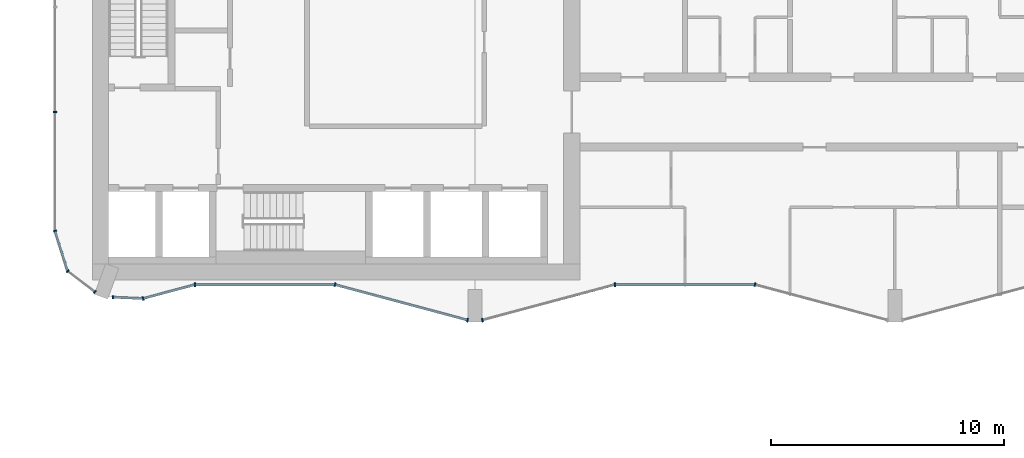
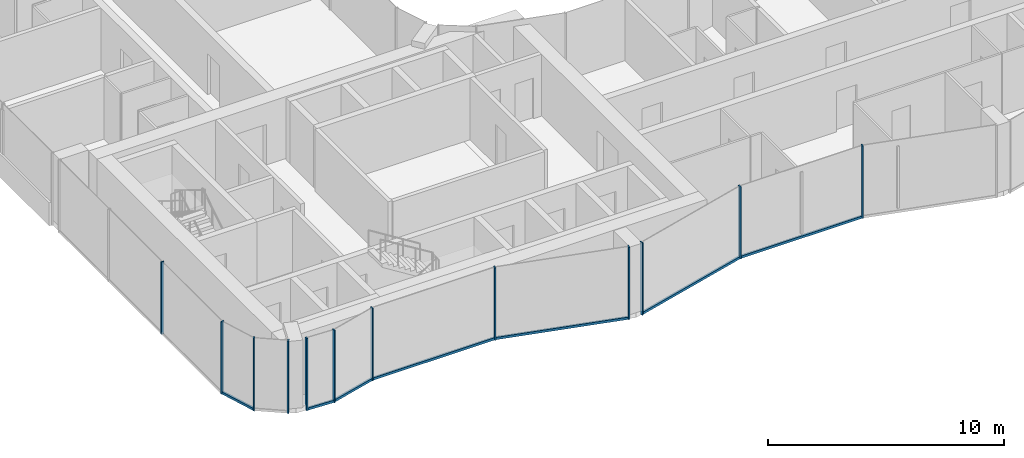
# One storey, part 2 of 22: 19 members, 10 elements without a shape of their own.
"""IFC4 building model written with IfcOpenShell, lengths in metres."""

from ifc_helpers import new_model, si_unit, direction, frame, origin, origin_2d, place, context, subcontext, project, spatial, rectangle, extrude, material, layer, layer_set, material_profile, profile_set, type_object, element, aggregate, save


model = new_model("IFC4")

# Units and contexts
model_context = context("Model", 3, precision=1e-05, world=origin(), true_north=direction((0.0, 1.0)))
body_context = subcontext(model_context, "Body", "Model", "MODEL_VIEW")
ifc_project = project(units=[si_unit("LENGTHUNIT", "METRE"), si_unit("AREAUNIT", "SQUARE_METRE"), si_unit("VOLUMEUNIT", "CUBIC_METRE"), si_unit("PLANEANGLEUNIT", "RADIAN"), si_unit("MASSUNIT", "GRAM", prefix="KILO")], contexts=[model_context])

# Site, building, storey
site_placement = place(None, origin())
site = spatial("IfcSite", under=ifc_project, at=site_placement, CompositionType="ELEMENT")
building_placement = place(site_placement, origin())
building = spatial("IfcBuilding", under=site, at=building_placement, Name="Plateau Cross Towers", CompositionType="ELEMENT")
storey_placement = place(building_placement, frame((0.0, 0.0, 68.800048828125)))
storey = spatial("IfcBuildingStorey", under=building, at=storey_placement, Name="L17", CompositionType="ELEMENT", Elevation=68.800048828125)

# Curtain wall, member
ifc_material_1 = material(Name="Dark low-iron glass", Category="glass")
ifc_layer_1 = layer(ifc_material_1, 0.239990234375)
ifc_layer_set_1 = layer_set([ifc_layer_1], Name="Dark low-iron glass")
curtain_wall_type_1 = type_object("IfcCurtainWallType", Name="Curtain wall flush unitised CW-B", PredefinedType="NOTDEFINED", material=ifc_layer_set_1)
curtain_wall_1_placement = place(storey_placement, origin())
curtain_wall_1 = element("IfcCurtainWall", 1, at=curtain_wall_1_placement, inside=storey, type_object=curtain_wall_type_1, Name="ENV/A/L17/A0_177", PredefinedType="NOTDEFINED")
ifc_material_2 = material(Name="Black anodised aluminium", Category="aluminium")
ifc_material_profile_1 = material_profile(ifc_material_2, rectangle(XDim=0.06005859375, YDim=0.139892578125, at=origin_2d()), Name="MULLION 60x140")
ifc_profile_set_1 = profile_set([ifc_material_profile_1], Name="Black anodised aluminium")
member_type_1 = type_object("IfcMemberType", Name="Mullion 60x140 flush unitised", PredefinedType="MULLION", material=ifc_profile_set_1)
member_1_placement = place(storey_placement, frame((0.0, 9.0, -0.25), z_axis=(0.0, 0.0, 1.0), x_axis=(0.0, -1.0, 0.0)))
member_1 = element("IfcMember", 2, at=member_1_placement, type_object=member_type_1, Name="CW-B mullion 3", PredefinedType="MULLION", context=body_context, shape_type="SweptSolid", body=[
    extrude(rectangle(XDim=0.06005859375, YDim=0.139892578125, at=origin_2d()), origin(), (0.0, 0.0, 1.0), 3.75),
])
aggregate(curtain_wall_1, [member_1])

curtain_wall_2_placement = place(storey_placement, origin())
curtain_wall_2 = element("IfcCurtainWall", 3, at=curtain_wall_2_placement, inside=storey, type_object=curtain_wall_type_1, Name="ENV/A/L17/A0_39", PredefinedType="NOTDEFINED")
member_2_placement = place(storey_placement, frame((0.0, 3.9091796875, -0.25), z_axis=(0.0, 0.0, 1.0), x_axis=(0.300686174994, -0.95372313811, 0.0)))
member_2 = element("IfcMember", 4, at=member_2_placement, type_object=member_type_1, Name="CW-B mullion 1", PredefinedType="MULLION", context=body_context, shape_type="SweptSolid", body=[
    extrude(rectangle(XDim=0.06005859375, YDim=0.139892578125, at=origin_2d()), origin(), (0.0, 0.0, 1.0), 3.75),
])

# Curtain wall, members
curtain_wall_3_placement = place(storey_placement, origin())
curtain_wall_3 = element("IfcCurtainWall", 5, at=curtain_wall_3_placement, inside=storey, type_object=curtain_wall_type_1, Name="ENV/A/L17/A5_22", PredefinedType="NOTDEFINED")
member_3_placement = place(storey_placement, frame((0.54248046875, 2.1884765625, -0.25), z_axis=(0.0, 0.0, 1.0), x_axis=(0.793315514529, -0.608810721331, 0.0)))
member_3 = element("IfcMember", 6, at=member_3_placement, type_object=member_type_1, Name="CW-B mullion 1", PredefinedType="MULLION", context=body_context, shape_type="SweptSolid", body=[
    extrude(rectangle(XDim=0.06005859375, YDim=0.139892578125, at=origin_2d()), origin(), (0.0, 0.0, 1.0), 3.75),
])
member_4_placement = place(storey_placement, frame((1.709716796875, 1.292724609375, -0.25), z_axis=(0.0, 0.0, 1.0), x_axis=(0.793315514529, -0.608810721331, 0.0)))
member_4 = element("IfcMember", 7, at=member_4_placement, type_object=member_type_1, Name="CW-B mullion 2", PredefinedType="MULLION", context=body_context, shape_type="SweptSolid", body=[
    extrude(rectangle(XDim=0.06005859375, YDim=0.139892578125, at=origin_2d()), origin(), (0.0, 0.0, 1.0), 3.75),
])
aggregate(curtain_wall_3, [member_3, member_4])

# Curtain wall, member
curtain_wall_4_placement = place(storey_placement, origin())
curtain_wall_4 = element("IfcCurtainWall", 8, at=curtain_wall_4_placement, inside=storey, type_object=curtain_wall_type_1, Name="ENV/A/L17/A25_11", PredefinedType="NOTDEFINED")
member_5_placement = place(storey_placement, frame((2.483642578125, 1.06787109375, -0.25), z_axis=(0.0, 0.0, 1.0), x_axis=(0.999043701491, -0.043722791671, 0.0)))
member_5 = element("IfcMember", 9, at=member_5_placement, type_object=member_type_1, Name="CW-B mullion 1", PredefinedType="MULLION", context=body_context, shape_type="SweptSolid", body=[
    extrude(rectangle(XDim=0.06005859375, YDim=0.139892578125, at=origin_2d()), origin(), (0.0, 0.0, 1.0), 3.75),
])

ifc_layer_2 = layer(ifc_material_1, 0.260009765625)
ifc_layer_set_2 = layer_set([ifc_layer_2], Name="Dark low-iron glass")
curtain_wall_type_2 = type_object("IfcCurtainWallType", Name="Curtain wall fluted unitised CW-A", PredefinedType="NOTDEFINED", material=ifc_layer_set_2)
curtain_wall_5_placement = place(storey_placement, origin())
curtain_wall_5 = element("IfcCurtainWall", 10, at=curtain_wall_5_placement, inside=storey, type_object=curtain_wall_type_2, Name="ENV/A/L17/A38_10", PredefinedType="NOTDEFINED")
ifc_material_profile_2 = material_profile(ifc_material_2, rectangle(XDim=0.06005859375, YDim=0.159912109375, at=origin_2d()), Name="MULLION 60x160")
ifc_profile_set_2 = profile_set([ifc_material_profile_2], Name="Black anodised aluminium")
member_type_2 = type_object("IfcMemberType", Name="Mullion 60x160 fluted unitised", PredefinedType="MULLION", material=ifc_profile_set_2)
member_6_placement = place(storey_placement, frame((3.776123046875, 1.01123046875, -0.25), z_axis=(0.0, 0.0, 1.0), x_axis=(0.965957962328, 0.258699081978, 0.0)))
member_6 = element("IfcMember", 11, at=member_6_placement, type_object=member_type_2, Name="CW-A mullion 1", PredefinedType="MULLION", context=body_context, shape_type="SweptSolid", body=[
    extrude(rectangle(XDim=0.06005859375, YDim=0.159912109375, at=origin_2d()), origin(), (0.0, 0.0, 1.0), 3.75),
])

curtain_wall_6_placement = place(storey_placement, origin())
curtain_wall_6 = element("IfcCurtainWall", 12, at=curtain_wall_6_placement, inside=storey, type_object=curtain_wall_type_2, Name="ENV/A/L17/A60_16", PredefinedType="NOTDEFINED")
member_7_placement = place(storey_placement, frame((6.0, 1.60693359375, -0.25), z_axis=(0.0, 0.0, 1.0), x_axis=(1.0, 0.0, 0.0)))
member_7 = element("IfcMember", 13, at=member_7_placement, type_object=member_type_2, Name="CW-A mullion 1", PredefinedType="MULLION", context=body_context, shape_type="SweptSolid", body=[
    extrude(rectangle(XDim=0.06005859375, YDim=0.159912109375, at=origin_2d()), origin(), (0.0, 0.0, 1.0), 3.75),
])

# Curtain wall, members
curtain_wall_7_placement = place(storey_placement, origin())
curtain_wall_7 = element("IfcCurtainWall", 14, at=curtain_wall_7_placement, inside=storey, type_object=curtain_wall_type_2, Name="ENV/A/L17/A120_16", PredefinedType="NOTDEFINED")
member_8_placement = place(storey_placement, frame((12.0, 1.60693359375, -0.25), z_axis=(0.0, 0.0, 1.0), x_axis=(0.965957983404, -0.258699003279, 0.0)))
member_8 = element("IfcMember", 15, at=member_8_placement, type_object=member_type_2, Name="CW-A mullion 1", PredefinedType="MULLION", context=body_context, shape_type="SweptSolid", body=[
    extrude(rectangle(XDim=0.06005859375, YDim=0.159912109375, at=origin_2d()), origin(), (0.0, 0.0, 1.0), 3.75),
])
member_9_placement = place(storey_placement, frame((17.68212890625, 0.085205078125, -0.25), z_axis=(0.0, 0.0, 1.0), x_axis=(0.965957983404, -0.258699003279, 0.0)))
member_9 = element("IfcMember", 16, at=member_9_placement, type_object=member_type_2, Name="CW-A mullion 2", PredefinedType="MULLION", context=body_context, shape_type="SweptSolid", body=[
    extrude(rectangle(XDim=0.06005859375, YDim=0.159912109375, at=origin_2d()), origin(), (0.0, 0.0, 1.0), 3.75),
])

# Curtain wall, member
curtain_wall_8_placement = place(storey_placement, origin())
curtain_wall_8 = element("IfcCurtainWall", 17, at=curtain_wall_8_placement, inside=storey, type_object=curtain_wall_type_2, Name="ENV/A/L17/A183_1", PredefinedType="NOTDEFINED")
member_10_placement = place(storey_placement, frame((18.31787109375, 0.085205078125, -0.25), z_axis=(0.0, 0.0, 1.0), x_axis=(0.965957983404, 0.258699003279, 0.0)))
member_10 = element("IfcMember", 18, at=member_10_placement, type_object=member_type_2, Name="CW-A mullion 1", PredefinedType="MULLION", context=body_context, shape_type="SweptSolid", body=[
    extrude(rectangle(XDim=0.06005859375, YDim=0.159912109375, at=origin_2d()), origin(), (0.0, 0.0, 1.0), 3.75),
])

curtain_wall_9_placement = place(storey_placement, origin())
curtain_wall_9 = element("IfcCurtainWall", 19, at=curtain_wall_9_placement, inside=storey, type_object=curtain_wall_type_2, Name="ENV/A/L17/A240_16", PredefinedType="NOTDEFINED")
member_11_placement = place(storey_placement, frame((24.0, 1.60693359375, -0.25), z_axis=(0.0, 0.0, 1.0), x_axis=(1.0, 0.0, 0.0)))
member_11 = element("IfcMember", 20, at=member_11_placement, type_object=member_type_2, Name="CW-A mullion 1", PredefinedType="MULLION", context=body_context, shape_type="SweptSolid", body=[
    extrude(rectangle(XDim=0.06005859375, YDim=0.159912109375, at=origin_2d()), origin(), (0.0, 0.0, 1.0), 3.75),
])

curtain_wall_10_placement = place(storey_placement, origin())
curtain_wall_10 = element("IfcCurtainWall", 21, at=curtain_wall_10_placement, inside=storey, type_object=curtain_wall_type_2, Name="ENV/A/L17/A300_16", PredefinedType="NOTDEFINED")
member_12_placement = place(storey_placement, frame((30.0, 1.60693359375, -0.25), z_axis=(0.0, 0.0, 1.0), x_axis=(0.965957983404, -0.258699003279, 0.0)))
member_12 = element("IfcMember", 22, at=member_12_placement, type_object=member_type_2, Name="CW-A mullion 1", PredefinedType="MULLION", context=body_context, shape_type="SweptSolid", body=[
    extrude(rectangle(XDim=0.06005859375, YDim=0.159912109375, at=origin_2d()), origin(), (0.0, 0.0, 1.0), 3.75),
])
aggregate(curtain_wall_10, [member_12])

# Member
ifc_material_profile_3 = material_profile(ifc_material_2, rectangle(XDim=0.10009765625, YDim=0.1201171875, at=origin_2d()), Name="TRANSOM 100x120")
ifc_profile_set_3 = profile_set([ifc_material_profile_3], Name="Black anodised aluminium")
member_type_3 = type_object("IfcMemberType", Name="Transom 100x120 flush unitised", PredefinedType="USERDEFINED", material=ifc_profile_set_3)
member_13_placement = place(storey_placement, frame((0.0, 3.9091796875, -0.18994140625), z_axis=(0.30067799945, -0.953725715626, 0.0), x_axis=(0.953725715626, 0.30067799945, 0.0)))
member_13 = element("IfcMember", 23, at=member_13_placement, type_object=member_type_3, Name="CW-B transom", ObjectType="TRANSOM", PredefinedType="USERDEFINED", context=body_context, shape_type="SweptSolid", body=[
    extrude(rectangle(XDim=0.10009765625, YDim=0.1201171875, at=origin_2d()), origin(), (0.0, 0.0, 1.0), 1.80419921875),
])

aggregate(curtain_wall_2, [member_2, member_13])

member_14_placement = place(storey_placement, frame((2.483642578125, 1.06787109375, -0.18994140625), z_axis=(0.999041144614, -0.043781175963, 0.0), x_axis=(0.043781175963, 0.999041144614, 0.0)))
member_14 = element("IfcMember", 24, at=member_14_placement, type_object=member_type_3, Name="CW-B transom", ObjectType="TRANSOM", PredefinedType="USERDEFINED", context=body_context, shape_type="SweptSolid", body=[
    extrude(rectangle(XDim=0.10009765625, YDim=0.1201171875, at=origin_2d()), origin(), (0.0, 0.0, 1.0), 1.293701171875),
])

aggregate(curtain_wall_4, [member_5, member_14])

ifc_material_profile_4 = material_profile(ifc_material_2, rectangle(XDim=0.10009765625, YDim=0.1201171875, at=origin_2d()), Name="TRANSOM 100x120")
ifc_profile_set_4 = profile_set([ifc_material_profile_4], Name="Black anodised aluminium")
member_type_4 = type_object("IfcMemberType", Name="Transom 100x120 fluted unitised", PredefinedType="USERDEFINED", material=ifc_profile_set_4)
member_15_placement = place(storey_placement, frame((3.776123046875, 1.01123046875, -0.18994140625), z_axis=(0.965945685136, 0.258744919501, 0.0), x_axis=(-0.258744919501, 0.965945685136, 0.0)))
member_15 = element("IfcMember", 25, at=member_15_placement, type_object=member_type_4, Name="CW-A transom", ObjectType="TRANSOM", PredefinedType="USERDEFINED", context=body_context, shape_type="SweptSolid", body=[
    extrude(rectangle(XDim=0.10009765625, YDim=0.1201171875, at=origin_2d()), origin(), (0.0, 0.0, 1.0), 2.30224609375),
])

aggregate(curtain_wall_5, [member_6, member_15])

member_16_placement = place(storey_placement, frame((6.0, 1.60693359375, -0.18994140625), z_axis=(1.0, 0.0, 0.0), x_axis=(0.0, 1.0, 0.0)))
member_16 = element("IfcMember", 26, at=member_16_placement, type_object=member_type_4, Name="CW-A transom", ObjectType="TRANSOM", PredefinedType="USERDEFINED", context=body_context, shape_type="SweptSolid", body=[
    extrude(rectangle(XDim=0.10009765625, YDim=0.1201171875, at=origin_2d()), origin(), (0.0, 0.0, 1.0), 6.0),
])

aggregate(curtain_wall_6, [member_7, member_16])

member_17_placement = place(storey_placement, frame((12.0, 1.60693359375, -0.18994140625), z_axis=(0.965959534794, -0.258693210465, 0.0), x_axis=(0.258693210465, 0.965959534794, 0.0)))
member_17 = element("IfcMember", 27, at=member_17_placement, type_object=member_type_4, Name="CW-A transom", ObjectType="TRANSOM", PredefinedType="USERDEFINED", context=body_context, shape_type="SweptSolid", body=[
    extrude(rectangle(XDim=0.10009765625, YDim=0.1201171875, at=origin_2d()), origin(), (0.0, 0.0, 1.0), 5.88232421875),
])

aggregate(curtain_wall_7, [member_8, member_9, member_17])

member_18_placement = place(storey_placement, frame((18.31787109375, 0.085205078125, -0.18994140625), z_axis=(0.965959534794, 0.258693210465, 0.0), x_axis=(-0.258693210465, 0.965959534794, 0.0)))
member_18 = element("IfcMember", 28, at=member_18_placement, type_object=member_type_4, Name="CW-A transom", ObjectType="TRANSOM", PredefinedType="USERDEFINED", context=body_context, shape_type="SweptSolid", body=[
    extrude(rectangle(XDim=0.10009765625, YDim=0.1201171875, at=origin_2d()), origin(), (0.0, 0.0, 1.0), 5.88232421875),
])

aggregate(curtain_wall_8, [member_10, member_18])

member_19_placement = place(storey_placement, frame((24.0, 1.60693359375, -0.18994140625), z_axis=(1.0, 0.0, 0.0), x_axis=(0.0, 1.0, 0.0)))
member_19 = element("IfcMember", 29, at=member_19_placement, type_object=member_type_4, Name="CW-A transom", ObjectType="TRANSOM", PredefinedType="USERDEFINED", context=body_context, shape_type="SweptSolid", body=[
    extrude(rectangle(XDim=0.10009765625, YDim=0.1201171875, at=origin_2d()), origin(), (0.0, 0.0, 1.0), 6.0),
])

aggregate(curtain_wall_9, [member_11, member_19])

save(model, "model.ifc")
